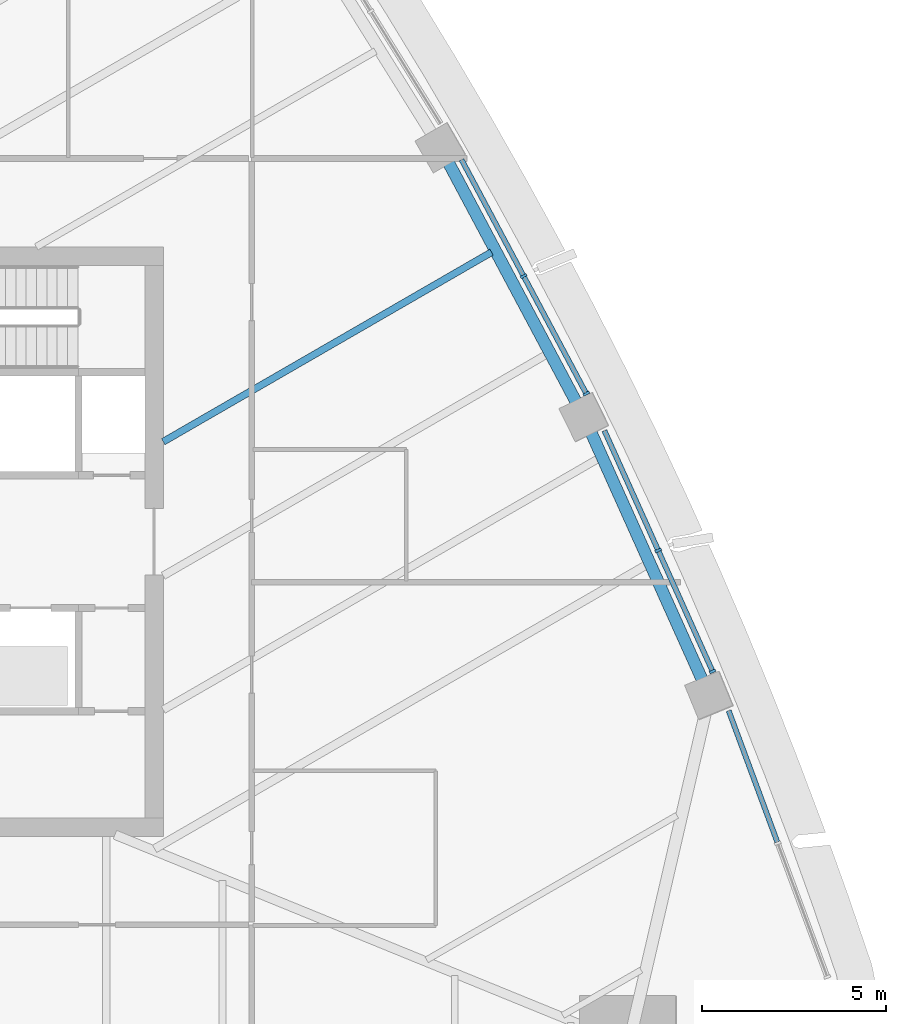
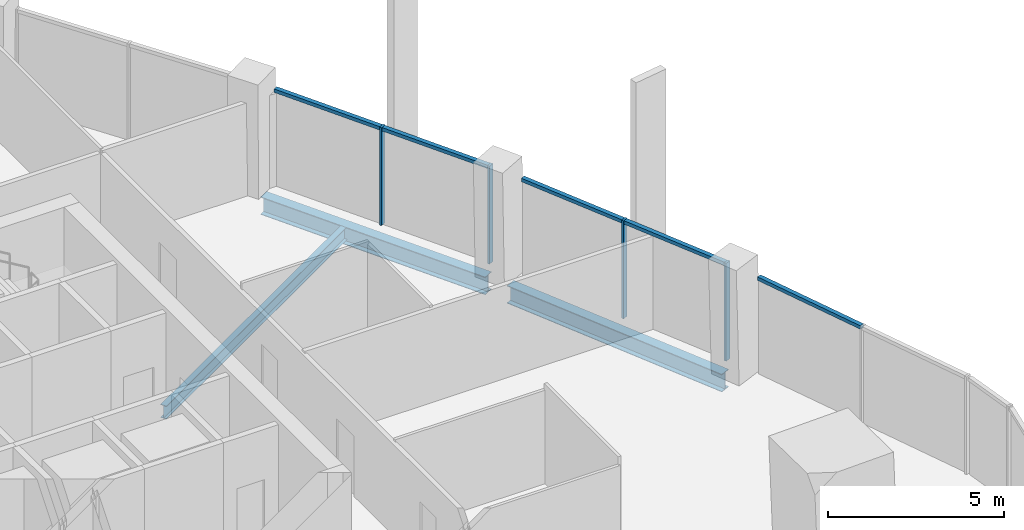
# One storey, part 5 of 19: 9 members, 3 beams, 3 elements without a shape of their own.
"""IFC4 building model written with IfcOpenShell, lengths in metres."""

from ifc_helpers import new_model, si_unit, direction, frame, origin, origin_2d, place, context, subcontext, project, spatial, rectangle, i_section, extrude, material, layer, layer_set, material_profile, profile_set, type_object, element, aggregate, save


model = new_model("IFC4")

# Units and contexts
model_context = context("Model", 3, precision=1e-05, world=origin(), true_north=direction((0.0, 1.0)))
body_context = subcontext(model_context, "Body", "Model", "MODEL_VIEW")
ifc_project = project(units=[si_unit("LENGTHUNIT", "METRE"), si_unit("AREAUNIT", "SQUARE_METRE"), si_unit("VOLUMEUNIT", "CUBIC_METRE"), si_unit("PLANEANGLEUNIT", "RADIAN"), si_unit("MASSUNIT", "GRAM", prefix="KILO")], contexts=[model_context])

# Site, building, storey
site_placement = place(None, origin())
site = spatial("IfcSite", under=ifc_project, at=site_placement, CompositionType="ELEMENT")
building_placement = place(site_placement, origin())
building = spatial("IfcBuilding", under=site, at=building_placement, Name="Sierra Prisma Convention Tower", CompositionType="ELEMENT")
storey_placement = place(building_placement, frame((0.0, 0.0, 177.800048828125)))
storey = spatial("IfcBuildingStorey", under=building, at=storey_placement, Name="L39", CompositionType="ELEMENT", Elevation=177.800048828125)

# Curtain wall, members
ifc_material_1 = material(Name="Aluminium and glass curtain wall", Category="aluminium")
ifc_layer = layer(ifc_material_1, 0.179931640625)
ifc_layer_set = layer_set([ifc_layer], Name="CW-1 Plain shaft curtain wall")
curtain_wall_type = type_object("IfcCurtainWallType", Name="CW-1 Plain shaft curtain wall", PredefinedType="NOTDEFINED", material=ifc_layer_set)
curtain_wall_1_placement = place(storey_placement, origin())
curtain_wall_1 = element("IfcCurtainWall", 1, at=curtain_wall_1_placement, inside=storey, type_object=curtain_wall_type, Name="CW-1 NE2 L39", PredefinedType="NOTDEFINED")
ifc_material_2 = material(Name="Aluminium 6063-T6 bronze anodised", Category="aluminium")
ifc_material_profile_1 = material_profile(ifc_material_2, rectangle(XDim=0.179931640625, YDim=0.070068359375, at=origin_2d()), Name="ALU MULLION 70x180")
ifc_profile_set_1 = profile_set([ifc_material_profile_1], Name="Aluminium 6063-T6 bronze anodised")
member_type_1 = type_object("IfcMemberType", Name="CW mullion bronze", PredefinedType="MULLION", material=ifc_profile_set_1)
member_1_placement = place(storey_placement, frame((25.911376953125, -3.5234375, 0.0), z_axis=(0.0, 0.0, 1.0), x_axis=(-0.912156076063, -0.409843010068, 0.0)))
member_1 = element("IfcMember", 2, at=member_1_placement, type_object=member_type_1, Name="CW-1 mullion NE2.1", PredefinedType="MULLION", context=body_context, shape_type="SweptSolid", body=[
    extrude(rectangle(XDim=0.179931640625, YDim=0.070068359375, at=origin_2d()), origin(), (0.0, 0.0, 1.0), 3.39990234375),
])
member_2_placement = place(storey_placement, frame((24.435791015625, -0.2392578125, 0.0), z_axis=(0.0, 0.0, 1.0), x_axis=(-0.912156076063, -0.409843010068, 0.0)))
member_2 = element("IfcMember", 3, at=member_2_placement, type_object=member_type_1, Name="CW-1 mullion NE2.2", PredefinedType="MULLION", context=body_context, shape_type="SweptSolid", body=[
    extrude(rectangle(XDim=0.179931640625, YDim=0.070068359375, at=origin_2d()), origin(), (0.0, 0.0, 1.0), 3.39990234375),
])

curtain_wall_2_placement = place(storey_placement, origin())
curtain_wall_2 = element("IfcCurtainWall", 4, at=curtain_wall_2_placement, inside=storey, type_object=curtain_wall_type, Name="CW-1 NE3 L39", PredefinedType="NOTDEFINED")
member_3_placement = place(storey_placement, frame((22.4833984375, 4.01611328125, 0.0), z_axis=(0.0, 0.0, 1.0), x_axis=(-0.882414499222, -0.470472795773, 0.0)))
member_3 = element("IfcMember", 5, at=member_3_placement, type_object=member_type_1, Name="CW-1 mullion NE3.1", PredefinedType="MULLION", context=body_context, shape_type="SweptSolid", body=[
    extrude(rectangle(XDim=0.179931640625, YDim=0.070068359375, at=origin_2d()), origin(), (0.0, 0.0, 1.0), 3.39990234375),
])
member_4_placement = place(storey_placement, frame((20.78173828125, 7.207275390625, 0.0), z_axis=(0.0, 0.0, 1.0), x_axis=(-0.882414499222, -0.470472795773, 0.0)))
member_4 = element("IfcMember", 6, at=member_4_placement, type_object=member_type_1, Name="CW-1 mullion NE3.2", PredefinedType="MULLION", context=body_context, shape_type="SweptSolid", body=[
    extrude(rectangle(XDim=0.179931640625, YDim=0.070068359375, at=origin_2d()), origin(), (0.0, 0.0, 1.0), 3.39990234375),
])

# Curtain wall, member
curtain_wall_3_placement = place(storey_placement, origin())
curtain_wall_3 = element("IfcCurtainWall", 7, at=curtain_wall_3_placement, inside=storey, type_object=curtain_wall_type, Name="CW-1 NE1 L39", PredefinedType="NOTDEFINED")
ifc_material_3 = material(Name="Aluminium 6063-T6 bronze anodised", Category="aluminium")
ifc_material_profile_2 = material_profile(ifc_material_3, rectangle(XDim=0.139892578125, YDim=0.1201171875, at=origin_2d()), Name="ALU TRANSOM 120x140")
ifc_profile_set_2 = profile_set([ifc_material_profile_2], Name="Aluminium 6063-T6 bronze anodised")
member_type_2 = type_object("IfcMemberType", Name="CW transom bronze", PredefinedType="USERDEFINED", material=ifc_profile_set_2)
member_5_placement = place(storey_placement, frame((27.667724609375, -8.15234375, 3.33984375), z_axis=(-0.347335266065, 0.937741015925, 0.0), x_axis=(-0.937741015925, -0.347335266065, 0.0)))
member_5 = element("IfcMember", 8, at=member_5_placement, type_object=member_type_2, Name="CW-1 transom NE1.2", ObjectType="TRANSOM", PredefinedType="USERDEFINED", context=body_context, shape_type="SweptSolid", body=[
    extrude(rectangle(XDim=0.139892578125, YDim=0.1201171875, at=origin_2d()), origin(), (0.0, 0.0, 1.0), 3.802734375),
])
aggregate(curtain_wall_3, [member_5])

# Member
member_6_placement = place(storey_placement, frame((25.89697265625, -3.49169921875, 3.33984375), z_axis=(-0.409792406559, 0.912178811158, 0.0), x_axis=(-0.912178811158, -0.409792406559, 0.0)))
member_6 = element("IfcMember", 9, at=member_6_placement, type_object=member_type_2, Name="CW-1 transom NE2.1", ObjectType="TRANSOM", PredefinedType="USERDEFINED", context=body_context, shape_type="SweptSolid", body=[
    extrude(rectangle(XDim=0.139892578125, YDim=0.1201171875, at=origin_2d()), origin(), (0.0, 0.0, 1.0), 3.530517578125),
])

member_7_placement = place(storey_placement, frame((24.42138671875, -0.207275390625, 3.33984375), z_axis=(-0.409849943102, 0.912152960933, 0.0), x_axis=(-0.912152960933, -0.409849943102, 0.0)))
member_7 = element("IfcMember", 10, at=member_7_placement, type_object=member_type_2, Name="CW-1 transom NE2.2", ObjectType="TRANSOM", PredefinedType="USERDEFINED", context=body_context, shape_type="SweptSolid", body=[
    extrude(rectangle(XDim=0.139892578125, YDim=0.1201171875, at=origin_2d()), origin(), (0.0, 0.0, 1.0), 3.530517578125),
])

aggregate(curtain_wall_1, [member_1, member_2, member_6, member_7])

member_8_placement = place(storey_placement, frame((22.466796875, 4.046875, 3.33984375), z_axis=(-0.470438166644, 0.8824329614, 0.0), x_axis=(-0.8824329614, -0.470438166644, 0.0)))
member_8 = element("IfcMember", 11, at=member_8_placement, type_object=member_type_2, Name="CW-1 transom NE3.1", ObjectType="TRANSOM", PredefinedType="USERDEFINED", context=body_context, shape_type="SweptSolid", body=[
    extrude(rectangle(XDim=0.139892578125, YDim=0.1201171875, at=origin_2d()), origin(), (0.0, 0.0, 1.0), 3.546630859375),
])

member_9_placement = place(storey_placement, frame((20.765380859375, 7.23828125, 3.33984375), z_axis=(-0.470520346856, 0.882389144989, 0.0), x_axis=(-0.882389144989, -0.470520346856, 0.0)))
member_9 = element("IfcMember", 12, at=member_9_placement, type_object=member_type_2, Name="CW-1 transom NE3.2", ObjectType="TRANSOM", PredefinedType="USERDEFINED", context=body_context, shape_type="SweptSolid", body=[
    extrude(rectangle(XDim=0.139892578125, YDim=0.1201171875, at=origin_2d()), origin(), (0.0, 0.0, 1.0), 3.54638671875),
])

aggregate(curtain_wall_2, [member_3, member_4, member_8, member_9])

# Beams
ifc_material_4 = material(Name="Steel ASTM A992 Gr 50", Category="steel")
ifc_material_profile_3 = material_profile(ifc_material_4, i_section(OverallWidth=0.18994140625, OverallDepth=0.45703125, WebThickness=0.009033203125, FlangeThickness=0.014404296875, at=origin_2d()), Name="W460x74")
ifc_profile_set_3 = profile_set([ifc_material_profile_3], Name="Steel ASTM A992 Gr 50")
beam_type_1 = type_object("IfcBeamType", Name="Floor joist W460x74", PredefinedType="JOIST", material=ifc_profile_set_3)
beam_1_placement = place(storey_placement, frame((19.911376953125, 7.85693359375, -0.378662109375), z_axis=(-0.866023987819, -0.500002452516, 0.0), x_axis=(0.500002452516, -0.866023987819, 0.0)))
element("IfcBeam", 13, at=beam_1_placement, inside=storey, type_object=beam_type_1, Name="Floor joist L39 NE07", PredefinedType="JOIST", context=body_context, shape_type="SweptSolid", body=[
    extrude(i_section(OverallWidth=0.18994140625, OverallDepth=0.45703125, WebThickness=0.009033203125, FlangeThickness=0.014404296875, at=origin_2d()), origin(), (0.0, 0.0, 1.0), 10.2900390625),
])
ifc_material_5 = material(Name="Steel ASTM A992 Gr 50", Category="steel")
ifc_material_profile_4 = material_profile(ifc_material_5, i_section(OverallWidth=0.324951171875, OverallDepth=0.615966796875, WebThickness=0.013916015625, FlangeThickness=0.021484375, at=origin_2d()), Name="W610x174")
ifc_profile_set_4 = profile_set([ifc_material_profile_4], Name="Steel ASTM A992 Gr 50")
beam_type_2 = type_object("IfcBeamType", Name="Spandrel beam W610x174", PredefinedType="BEAM", material=ifc_profile_set_4)
beam_2_placement = place(storey_placement, frame((25.669189453125, -3.837646484375, -0.4580078125), z_axis=(-0.409849712049, 0.91215306475, 0.0), x_axis=(-0.91215306475, -0.409849712049, 0.0)))
element("IfcBeam", 14, at=beam_2_placement, inside=storey, type_object=beam_type_2, Name="Spandrel L39-08", PredefinedType="BEAM", context=body_context, shape_type="SweptSolid", body=[
    extrude(i_section(OverallWidth=0.324951171875, OverallDepth=0.615966796875, WebThickness=0.013916015625, FlangeThickness=0.021484375, at=origin_2d()), origin(), (0.0, 0.0, 1.0), 7.53125),
])
beam_3_placement = place(storey_placement, frame((22.247802734375, 3.71435546875, -0.4580078125), z_axis=(-0.470490646917, 0.882404981379, 0.0), x_axis=(-0.882404981379, -0.470490646917, 0.0)))
element("IfcBeam", 15, at=beam_3_placement, inside=storey, type_object=beam_type_2, Name="Spandrel L39-09", PredefinedType="BEAM", context=body_context, shape_type="SweptSolid", body=[
    extrude(i_section(OverallWidth=0.324951171875, OverallDepth=0.615966796875, WebThickness=0.013916015625, FlangeThickness=0.021484375, at=origin_2d()), origin(), (0.0, 0.0, 1.0), 7.531494140625),
])

save(model, "model.ifc")
